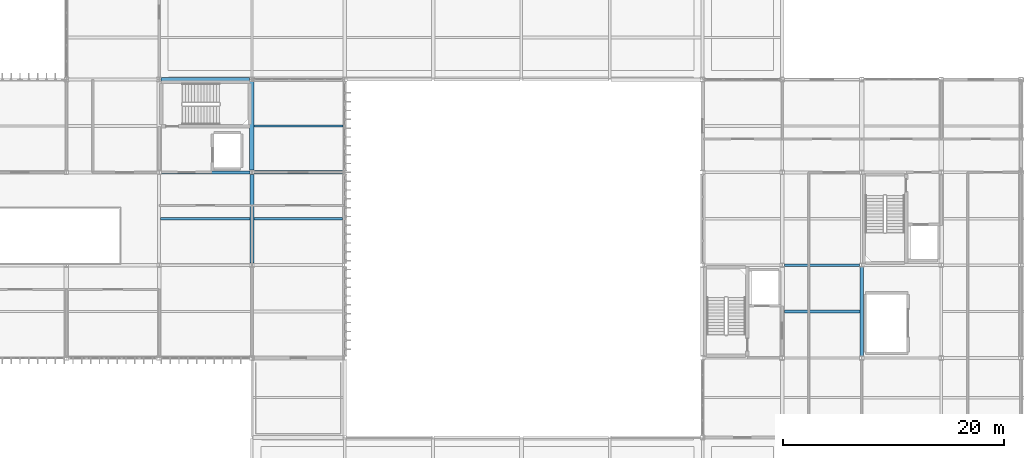
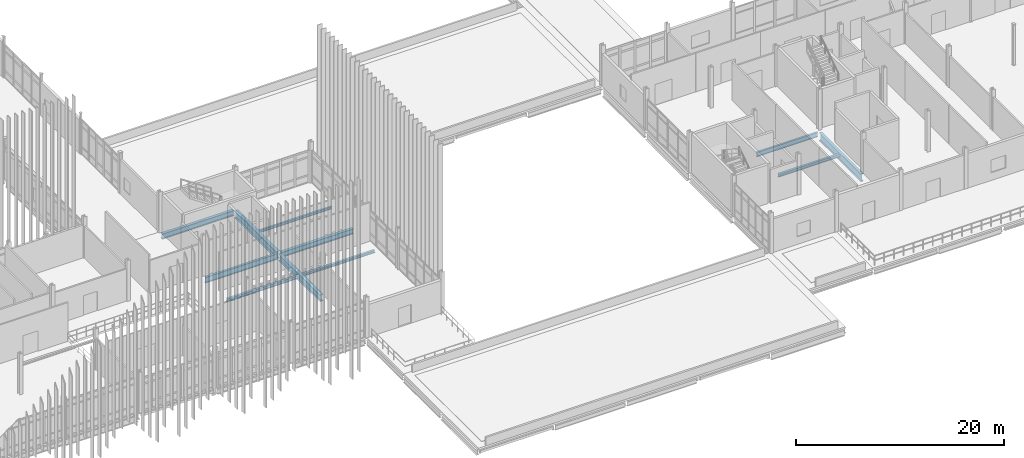
# One storey, part 44 of 153: 11 beams.
"""IFC4 building model written with IfcOpenShell, lengths in metres."""

from ifc_helpers import new_model, si_unit, direction, frame, origin, origin_2d, place, context, subcontext, project, spatial, i_section, extrude, material, material_profile, profile_set, type_object, element, save


model = new_model("IFC4")

# Units and contexts
model_context = context("Model", 3, precision=1e-05, world=origin(), true_north=direction((0.0, 1.0)))
body_context = subcontext(model_context, "Body", "Model", "MODEL_VIEW")
ifc_project = project(units=[si_unit("LENGTHUNIT", "METRE"), si_unit("AREAUNIT", "SQUARE_METRE"), si_unit("VOLUMEUNIT", "CUBIC_METRE"), si_unit("PLANEANGLEUNIT", "RADIAN"), si_unit("MASSUNIT", "GRAM", prefix="KILO")], contexts=[model_context])

# Site, building, storey
site_placement = place(None, origin())
site = spatial("IfcSite", under=ifc_project, at=site_placement, CompositionType="ELEMENT")
building_placement = place(site_placement, origin())
building = spatial("IfcBuilding", under=site, at=building_placement, Name="Calvrana Isthmian Art Gallery", CompositionType="ELEMENT")
storey_placement = place(building_placement, frame((0.0, 0.0, 10.199951171875)))
storey = spatial("IfcBuildingStorey", under=building, at=storey_placement, Name="L02", CompositionType="ELEMENT", Elevation=10.199951171875)

# Beams
ifc_material = material(Name="Steel ASTM A992 Gr 50", Category="steel")
ifc_material_profile_1 = material_profile(ifc_material, i_section(OverallWidth=0.208984375, OverallDepth=0.532958984375, WebThickness=0.01025390625, FlangeThickness=0.015625, FilletRadius=0.02099609375, at=origin_2d()), Name="W21X62")
ifc_profile_set_1 = profile_set([ifc_material_profile_1], Name="Steel ASTM A992 Gr 50")
beam_type_1 = type_object("IfcBeamType", Name="BM-G-W21X62", PredefinedType="BEAM", material=ifc_profile_set_1)
beam_1_placement = place(storey_placement, frame((120.199462890625, 30.0, -0.531494140625), z_axis=(1.0, 0.0, 0.0), x_axis=(0.0, 1.0, 0.0)))
element("IfcBeam", 1, at=beam_1_placement, inside=storey, type_object=beam_type_1, Name="Girder X L02 16-17/E", PredefinedType="BEAM", context=body_context, shape_type="SweptSolid", body=[
    extrude(i_section(OverallWidth=0.208984375, OverallDepth=0.532958984375, WebThickness=0.01025390625, FlangeThickness=0.015625, FilletRadius=0.02099609375, at=origin_2d()), origin(), (0.0, 0.0, 1.0), 6.802490234375),
])
ifc_material_profile_2 = material_profile(ifc_material, i_section(OverallWidth=0.327880859375, OverallDepth=0.6220703125, WebThickness=0.015380859375, FlangeThickness=0.0244140625, FilletRadius=0.02197265625, at=origin_2d()), Name="W24X131")
ifc_profile_set_2 = profile_set([ifc_material_profile_2], Name="Steel ASTM A992 Gr 50")
beam_type_2 = type_object("IfcBeamType", Name="BM-G-W24X131", PredefinedType="BEAM", material=ifc_profile_set_2)
beam_2_placement = place(storey_placement, frame((72.197998046875, 38.39990234375, -0.575927734375), z_axis=(1.0, 0.0, 0.0), x_axis=(0.0, 1.0, 0.0)))
element("IfcBeam", 2, at=beam_2_placement, inside=storey, type_object=beam_type_2, Name="Girder X L02 10-11/F", PredefinedType="BEAM", context=body_context, shape_type="SweptSolid", body=[
    extrude(i_section(OverallWidth=0.327880859375, OverallDepth=0.6220703125, WebThickness=0.015380859375, FlangeThickness=0.0244140625, FilletRadius=0.02197265625, at=origin_2d()), origin(), (0.0, 0.0, 1.0), 8.0048828125),
])
beam_3_placement = place(storey_placement, frame((63.78662109375, 46.800048828125, -0.575927734375), z_axis=(1.0, 0.0, 0.0), x_axis=(0.0, 1.0, 0.0)))
element("IfcBeam", 3, at=beam_3_placement, inside=storey, type_object=beam_type_2, Name="Girder X L02 09-10/G", PredefinedType="BEAM", context=body_context, shape_type="SweptSolid", body=[
    extrude(i_section(OverallWidth=0.327880859375, OverallDepth=0.6220703125, WebThickness=0.015380859375, FlangeThickness=0.0244140625, FilletRadius=0.02197265625, at=origin_2d()), origin(), (0.0, 0.0, 1.0), 8.013916015625),
])
ifc_material_profile_3 = material_profile(ifc_material, i_section(OverallWidth=0.257080078125, OverallDepth=0.693115234375, WebThickness=0.014404296875, FlangeThickness=0.023681640625, FilletRadius=0.02392578125, at=origin_2d()), Name="W27X114")
ifc_profile_set_3 = profile_set([ifc_material_profile_3], Name="Steel ASTM A992 Gr 50")
beam_type_3 = type_object("IfcBeamType", Name="BM-G-W27X114", PredefinedType="BEAM", material=ifc_profile_set_3)
beam_4_placement = place(storey_placement, frame((63.799560546875, 38.39990234375, -0.611572265625), z_axis=(1.0, 0.0, 0.0), x_axis=(0.0, 1.0, 0.0)))
element("IfcBeam", 4, at=beam_4_placement, inside=storey, type_object=beam_type_3, Name="Girder X L02 09-10/F", PredefinedType="BEAM", context=body_context, shape_type="SweptSolid", body=[
    extrude(i_section(OverallWidth=0.257080078125, OverallDepth=0.693115234375, WebThickness=0.014404296875, FlangeThickness=0.023681640625, FilletRadius=0.02392578125, at=origin_2d()), origin(), (0.0, 0.0, 1.0), 8.00244140625),
])
ifc_material_profile_4 = material_profile(ifc_material, i_section(OverallWidth=0.381103515625, OverallDepth=0.77197265625, WebThickness=0.0166015625, FlangeThickness=0.027099609375, FilletRadius=0.02490234375, at=origin_2d()), Name="W30X173")
ifc_profile_set_4 = profile_set([ifc_material_profile_4], Name="Steel ASTM A992 Gr 50")
beam_type_4 = type_object("IfcBeamType", Name="BM-G-W30X173", PredefinedType="BEAM", material=ifc_profile_set_4)
beam_5_placement = place(storey_placement, frame((72.0, 30.18798828125, -0.65087890625), z_axis=(0.0, 1.0, 0.0), x_axis=(-1.0, 0.0, 0.0)))
element("IfcBeam", 5, at=beam_5_placement, inside=storey, type_object=beam_type_4, Name="Girder Y L02 10/E-F", PredefinedType="BEAM", context=body_context, shape_type="SweptSolid", body=[
    extrude(i_section(OverallWidth=0.381103515625, OverallDepth=0.77197265625, WebThickness=0.0166015625, FlangeThickness=0.027099609375, FilletRadius=0.02490234375, at=origin_2d()), origin(), (0.0, 0.0, 1.0), 8.021484375),
])
ifc_material_profile_5 = material_profile(ifc_material, i_section(OverallWidth=0.40087890625, OverallDepth=0.85595703125, WebThickness=0.018310546875, FlangeThickness=0.029296875, FilletRadius=0.02587890625, at=origin_2d()), Name="W33X201")
ifc_profile_set_5 = profile_set([ifc_material_profile_5], Name="Steel ASTM A992 Gr 50")
beam_type_5 = type_object("IfcBeamType", Name="BM-G-W33X201", PredefinedType="BEAM", material=ifc_profile_set_5)
beam_6_placement = place(storey_placement, frame((72.0, 38.590576171875, -0.69287109375), z_axis=(0.0, 1.0, 0.0), x_axis=(-1.0, 0.0, 0.0)))
element("IfcBeam", 6, at=beam_6_placement, inside=storey, type_object=beam_type_5, Name="Girder Y L02 10/F-G", PredefinedType="BEAM", context=body_context, shape_type="SweptSolid", body=[
    extrude(i_section(OverallWidth=0.40087890625, OverallDepth=0.85595703125, WebThickness=0.018310546875, FlangeThickness=0.029296875, FilletRadius=0.02587890625, at=origin_2d()), origin(), (0.0, 0.0, 1.0), 8.016357421875),
])
ifc_material_profile_6 = material_profile(ifc_material, i_section(OverallWidth=0.306884765625, OverallDepth=0.927001953125, WebThickness=0.019287109375, FlangeThickness=0.031982421875, FilletRadius=0.028076171875, at=origin_2d()), Name="W36X194")
ifc_profile_set_6 = profile_set([ifc_material_profile_6], Name="Steel ASTM A992 Gr 50")
beam_type_6 = type_object("IfcBeamType", Name="BM-G-W36X194", PredefinedType="BEAM", material=ifc_profile_set_6)
beam_7_placement = place(storey_placement, frame((127.199951171875, 21.7880859375, -0.728515625), z_axis=(0.0, 1.0, 0.0), x_axis=(-1.0, 0.0, 0.0)))
element("IfcBeam", 7, at=beam_7_placement, inside=storey, type_object=beam_type_6, Name="Girder Y L02 17/D-E", PredefinedType="BEAM", context=body_context, shape_type="SweptSolid", body=[
    extrude(i_section(OverallWidth=0.306884765625, OverallDepth=0.927001953125, WebThickness=0.019287109375, FlangeThickness=0.031982421875, FilletRadius=0.028076171875, at=origin_2d()), origin(), (0.0, 0.0, 1.0), 8.021484375),
])
ifc_material_profile_7 = material_profile(ifc_material, i_section(OverallWidth=0.202880859375, OverallDepth=0.302001953125, WebThickness=0.007568359375, FlangeThickness=0.01318359375, FilletRadius=0.01611328125, at=origin_2d()), Name="W12X40")
ifc_profile_set_7 = profile_set([ifc_material_profile_7], Name="Steel ASTM A992 Gr 50")
beam_type_7 = type_object("IfcBeamType", Name="BM-J-W12X40", PredefinedType="JOIST", material=ifc_profile_set_7)
beam_8_placement = place(storey_placement, frame((72.200439453125, 42.60009765625, -0.416015625), z_axis=(1.0, 0.0, 0.0), x_axis=(0.0, 1.0, 0.0)))
element("IfcBeam", 8, at=beam_8_placement, inside=storey, type_object=beam_type_7, Name="Composite joist L02 bay 09-05", PredefinedType="JOIST", context=body_context, shape_type="SweptSolid", body=[
    extrude(i_section(OverallWidth=0.202880859375, OverallDepth=0.302001953125, WebThickness=0.007568359375, FlangeThickness=0.01318359375, FilletRadius=0.01611328125, at=origin_2d()), origin(), (0.0, 0.0, 1.0), 8.046142578125),
])
ifc_material_profile_8 = material_profile(ifc_material, i_section(OverallWidth=0.25390625, OverallDepth=0.306884765625, WebThickness=0.0087890625, FlangeThickness=0.0146484375, FilletRadius=0.01611328125, at=origin_2d()), Name="W12X53")
ifc_profile_set_8 = profile_set([ifc_material_profile_8], Name="Steel ASTM A992 Gr 50")
beam_type_8 = type_object("IfcBeamType", Name="BM-J-W12X53", PredefinedType="JOIST", material=ifc_profile_set_8)
beam_9_placement = place(storey_placement, frame((72.1904296875, 34.199951171875, -0.41845703125), z_axis=(1.0, 0.0, 0.0), x_axis=(0.0, 1.0, 0.0)))
element("IfcBeam", 9, at=beam_9_placement, inside=storey, type_object=beam_type_8, Name="Composite joist L02 bay 09-04", PredefinedType="JOIST", context=body_context, shape_type="SweptSolid", body=[
    extrude(i_section(OverallWidth=0.25390625, OverallDepth=0.306884765625, WebThickness=0.0087890625, FlangeThickness=0.0146484375, FilletRadius=0.01611328125, at=origin_2d()), origin(), (0.0, 0.0, 1.0), 8.009033203125),
])
ifc_material_profile_9 = material_profile(ifc_material, i_section(OverallWidth=0.25390625, OverallDepth=0.35302734375, WebThickness=0.009521484375, FlangeThickness=0.016357421875, FilletRadius=0.01806640625, at=origin_2d()), Name="W14X61")
ifc_profile_set_9 = profile_set([ifc_material_profile_9], Name="Steel ASTM A992 Gr 50")
beam_type_9 = type_object("IfcBeamType", Name="BM-J-W14X61", PredefinedType="JOIST", material=ifc_profile_set_9)
beam_10_placement = place(storey_placement, frame((63.728515625, 34.199951171875, -0.44140625), z_axis=(1.0, 0.0, 0.0), x_axis=(0.0, 1.0, 0.0)))
element("IfcBeam", 10, at=beam_10_placement, inside=storey, type_object=beam_type_9, Name="Composite joist L02 bay 08-04", PredefinedType="JOIST", context=body_context, shape_type="SweptSolid", body=[
    extrude(i_section(OverallWidth=0.25390625, OverallDepth=0.35302734375, WebThickness=0.009521484375, FlangeThickness=0.016357421875, FilletRadius=0.01806640625, at=origin_2d()), origin(), (0.0, 0.0, 1.0), 8.0810546875),
])
beam_11_placement = place(storey_placement, frame((120.200439453125, 25.800048828125, -0.44140625), z_axis=(1.0, 0.0, 0.0), x_axis=(0.0, 1.0, 0.0)))
element("IfcBeam", 11, at=beam_11_placement, inside=storey, type_object=beam_type_9, Name="Composite joist L02 bay 15-03", PredefinedType="JOIST", context=body_context, shape_type="SweptSolid", body=[
    extrude(i_section(OverallWidth=0.25390625, OverallDepth=0.35302734375, WebThickness=0.009521484375, FlangeThickness=0.016357421875, FilletRadius=0.01806640625, at=origin_2d()), origin(), (0.0, 0.0, 1.0), 6.845947265625),
])

save(model, "model.ifc")
